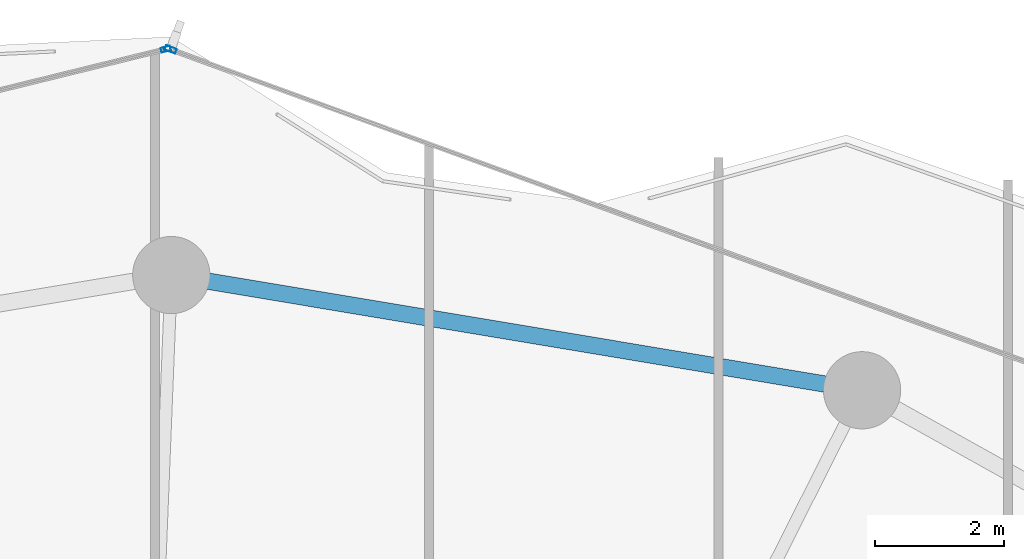
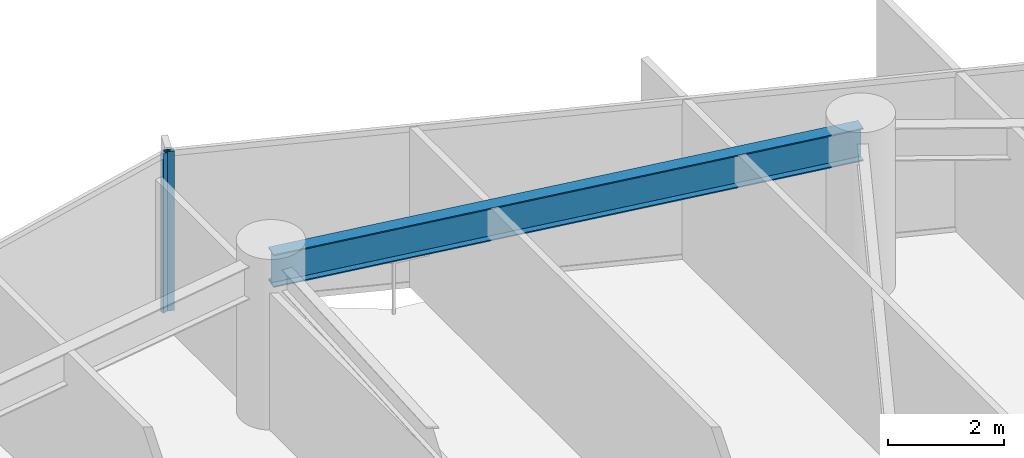
# One storey, part 19 of 28: 2 members, 1 beam, 2 elements without a shape of their own.
"""IFC4 building model written with IfcOpenShell, lengths in metres."""

from ifc_helpers import new_model, si_unit, direction, frame, origin, origin_2d, place, context, subcontext, project, spatial, hollow_rectangle, i_section, extrude, material, layer, layer_set, material_profile, profile_set, type_object, element, aggregate, save


model = new_model("IFC4")

# Units and contexts
model_context = context("Model", 3, precision=1e-05, world=origin(), true_north=direction((0.0, 1.0)))
body_context = subcontext(model_context, "Body", "Model", "MODEL_VIEW")
ifc_project = project(units=[si_unit("LENGTHUNIT", "METRE"), si_unit("AREAUNIT", "SQUARE_METRE"), si_unit("VOLUMEUNIT", "CUBIC_METRE"), si_unit("PLANEANGLEUNIT", "RADIAN"), si_unit("MASSUNIT", "GRAM", prefix="KILO")], contexts=[model_context])

# Site, building, storey
site_placement = place(None, origin())
site = spatial("IfcSite", under=ifc_project, at=site_placement, CompositionType="ELEMENT")
building_placement = place(site_placement, origin())
building = spatial("IfcBuilding", under=site, at=building_placement, Name="Kazevale Care Tower and Concert Hall", CompositionType="ELEMENT")
storey_placement = place(building_placement, frame((0.0, 0.0, 120.60009765625)))
storey = spatial("IfcBuildingStorey", under=building, at=storey_placement, Name="L31", CompositionType="ELEMENT", Elevation=120.60009765625)

# Curtain wall, member
ifc_material_1 = material(Name="Aluminium 6063-T6 and Low-E Glass", Category="aluminium")
ifc_layer_1 = layer(ifc_material_1, 0.179931640625)
ifc_layer_set_1 = layer_set([ifc_layer_1], Name="Aluminium 6063-T6 and Low-E Glass")
curtain_wall_type_1 = type_object("IfcCurtainWallType", Name="Convex Checkerboard Finned Curtain Wall CW-2", PredefinedType="NOTDEFINED", material=ifc_layer_set_1)
curtain_wall_1_placement = place(storey_placement, origin())
curtain_wall_1 = element("IfcCurtainWall", 1, at=curtain_wall_1_placement, inside=storey, type_object=curtain_wall_type_1, Name="cw:L31:f16", PredefinedType="NOTDEFINED")
ifc_material_2 = material(Name="Aluminium 6063-T6", Category="aluminium")
ifc_material_profile_1 = material_profile(ifc_material_2, hollow_rectangle(XDim=0.080078125, YDim=0.179931640625, WallThickness=0.0048828125, at=origin_2d()), Name="ALU80x180x5")
ifc_profile_set_1 = profile_set([ifc_material_profile_1], Name="Aluminium 6063-T6")
member_type_1 = type_object("IfcMemberType", Name="CW-2 Mullion ALU80x180x5", PredefinedType="MULLION", material=ifc_profile_set_1)
member_1_placement = place(storey_placement, frame((44.989501953125, 64.953369140625, 0.0), z_axis=(0.0, 0.0, 1.0), x_axis=(0.343143453498, 0.939283008641, 0.0)))
member_1 = element("IfcMember", 2, at=member_1_placement, type_object=member_type_1, Name="CW-2 mullion 1", PredefinedType="MULLION", context=body_context, shape_type="SweptSolid", body=[
    extrude(hollow_rectangle(XDim=0.080078125, YDim=0.179931640625, WallThickness=0.0048828125, at=origin_2d()), origin(), (0.0, 0.0, 1.0), 3.35986328125),
])
aggregate(curtain_wall_1, [member_1])

ifc_layer_2 = layer(ifc_material_1, 0.179931640625)
ifc_layer_set_2 = layer_set([ifc_layer_2], Name="Aluminium 6063-T6 and Low-E Glass")
curtain_wall_type_2 = type_object("IfcCurtainWallType", Name="Convex Recessed Sunroom Curtain Wall CW-3", PredefinedType="NOTDEFINED", material=ifc_layer_set_2)
curtain_wall_2_placement = place(storey_placement, origin())
curtain_wall_2 = element("IfcCurtainWall", 3, at=curtain_wall_2_placement, inside=storey, type_object=curtain_wall_type_2, Name="cw:L31:f15", PredefinedType="NOTDEFINED")
ifc_material_profile_2 = material_profile(ifc_material_2, hollow_rectangle(XDim=0.074951171875, YDim=0.14990234375, WallThickness=0.00390625, at=origin_2d()), Name="ALU75x150x4")
ifc_profile_set_2 = profile_set([ifc_material_profile_2], Name="Aluminium 6063-T6")
member_type_2 = type_object("IfcMemberType", Name="CW-3 Mullion ALU75x150x4", PredefinedType="MULLION", material=ifc_profile_set_2)
member_2_placement = place(storey_placement, frame((44.91552734375, 64.9580078125, 0.0), z_axis=(0.0, 0.0, 1.0), x_axis=(-0.239088999495, 0.970997657217, 0.0)))
member_2 = element("IfcMember", 4, at=member_2_placement, type_object=member_type_2, Name="CW-3 mullion 2", PredefinedType="MULLION", context=body_context, shape_type="SweptSolid", body=[
    extrude(hollow_rectangle(XDim=0.074951171875, YDim=0.14990234375, WallThickness=0.00390625, at=origin_2d()), origin(), (0.0, 0.0, 1.0), 3.35986328125),
])
aggregate(curtain_wall_2, [member_2])

# Beam
ifc_material_3 = material(Name="Steel ASTM A572 Gr 50", Category="steel")
ifc_material_profile_3 = material_profile(ifc_material_3, i_section(OverallWidth=0.256103515625, OverallDepth=0.693115234375, WebThickness=0.014404296875, FlangeThickness=0.023681640625, at=origin_2d()), Name="W690x170")
ifc_profile_set_3 = profile_set([ifc_material_profile_3], Name="Steel ASTM A572 Gr 50")
beam_type = type_object("IfcBeamType", Name="Waist Ring Beam W690x170", PredefinedType="BEAM", material=ifc_profile_set_3)
beam_placement = place(storey_placement, frame((55.72998046875, 59.659912109375, 3.013427734375), z_axis=(-0.986368436187, 0.164551840139, 0.0), x_axis=(-0.164551840139, -0.986368436187, 0.0)))
element("IfcBeam", 5, at=beam_placement, inside=storey, type_object=beam_type, Name="beam:L31:ring:04", PredefinedType="BEAM", context=body_context, shape_type="SweptSolid", body=[
    extrude(i_section(OverallWidth=0.256103515625, OverallDepth=0.693115234375, WebThickness=0.014404296875, FlangeThickness=0.023681640625, at=origin_2d()), origin(), (0.0, 0.0, 1.0), 10.878173828125),
])

save(model, "model.ifc")
